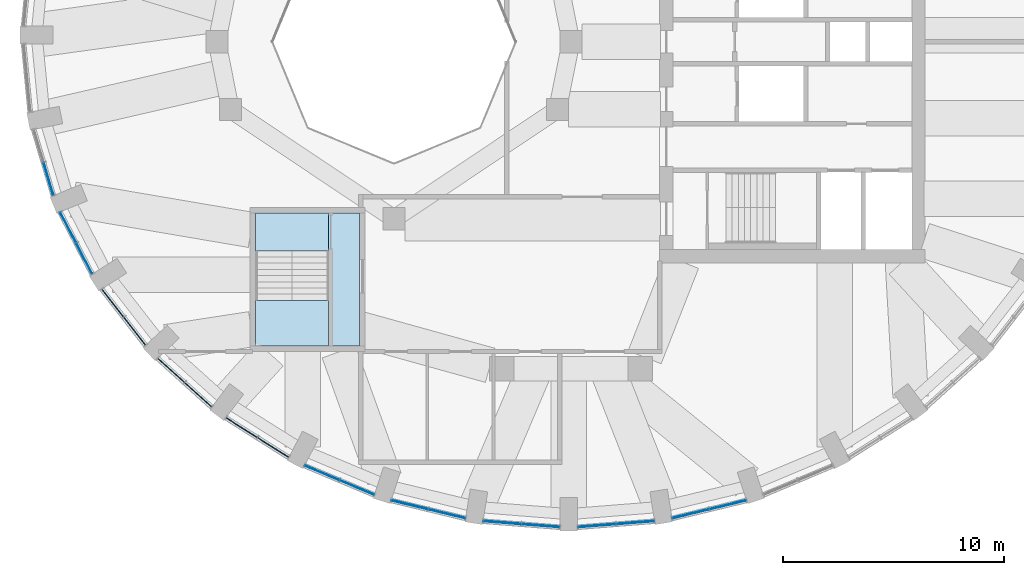
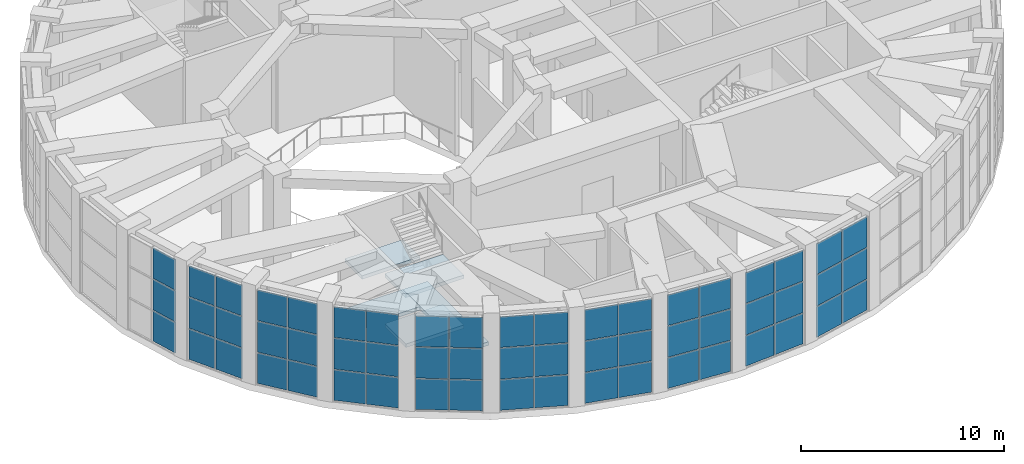
# One storey, part 12 of 20: 57 plates, 5 slabs, 11 elements without a shape of their own.
"""IFC4 building model written with IfcOpenShell, lengths in metres."""

from ifc_helpers import new_model, si_unit, direction, frame, origin, origin_2d, place, context, subcontext, project, spatial, polyline, rectangle, outline, extrude, material, layer, layer_set, type_object, element, aggregate, save


model = new_model("IFC4")

# Units and contexts
model_context = context("Model", 3, precision=1e-05, world=origin(), true_north=direction((0.0, 1.0)))
body_context = subcontext(model_context, "Body", "Model", "MODEL_VIEW")
ifc_project = project(units=[si_unit("LENGTHUNIT", "METRE"), si_unit("AREAUNIT", "SQUARE_METRE"), si_unit("VOLUMEUNIT", "CUBIC_METRE"), si_unit("PLANEANGLEUNIT", "RADIAN"), si_unit("MASSUNIT", "GRAM", prefix="KILO")], contexts=[model_context])

# Site, building, storey
site_placement = place(None, origin())
site = spatial("IfcSite", under=ifc_project, at=site_placement, CompositionType="ELEMENT")
building_placement = place(site_placement, origin())
building = spatial("IfcBuilding", under=site, at=building_placement, Name="Taillehof Tower", CompositionType="ELEMENT")
storey_placement = place(building_placement, frame((0.0, 0.0, 269.199951171875)))
storey = spatial("IfcBuildingStorey", under=building, at=storey_placement, Name="L76", CompositionType="ELEMENT", Elevation=269.199951171875)

# Curtain wall, plates
ifc_material_1 = material(Name="Aluminium curtain wall with Clear toughened laminated glass", Category="aluminium")
curtain_wall_type = type_object("IfcCurtainWallType", Name="Observation deck curtain wall", PredefinedType="USERDEFINED", material=ifc_material_1)
curtain_wall_1_placement = place(storey_placement, origin())
curtain_wall_1 = element("IfcCurtainWall", 1, at=curtain_wall_1_placement, inside=storey, type_object=curtain_wall_type, Name="Observation deck L76 bay 20", ObjectType="WINDOW WALL", PredefinedType="USERDEFINED")
ifc_material_2 = material(Name="Clear toughened laminated glass", Category="glass")
ifc_layer_1 = layer(ifc_material_2, 0.0400390625)
ifc_layer_set_1 = layer_set([ifc_layer_1], Name="Observation deck glass panel 40")
plate_type = type_object("IfcPlateType", Name="Observation deck glass panel 40", PredefinedType="CURTAIN_PANEL", material=ifc_layer_set_1)
plate_1_placement = place(storey_placement, frame((-23.611083984375, -6.2041015625, 0.0400390625), z_axis=(0.0, 0.0, 1.0), x_axis=(0.285235558707, -0.958457446134, 0.0)))
plate_1 = element("IfcPlate", 2, at=plate_1_placement, type_object=plate_type, Name="CT6E20 panel 2.1", PredefinedType="CURTAIN_PANEL", context=body_context, shape_type="SweptSolid", body=[
    extrude(rectangle(XDim=1.5185546875, YDim=0.0400390625, at=origin_2d()), origin(), (0.0, 0.0, 1.0), 1.840087890625),
])
plate_2_placement = place(storey_placement, frame((-23.611083984375, -6.2041015625, 1.919921875), z_axis=(0.0, 0.0, 1.0), x_axis=(0.285235558707, -0.958457446134, 0.0)))
plate_2 = element("IfcPlate", 3, at=plate_2_placement, type_object=plate_type, Name="CT6E20 panel 2.2", PredefinedType="CURTAIN_PANEL", context=body_context, shape_type="SweptSolid", body=[
    extrude(rectangle(XDim=1.5185546875, YDim=0.0400390625, at=origin_2d()), origin(), (0.0, 0.0, 1.0), 1.860107421875),
])
plate_3_placement = place(storey_placement, frame((-23.611083984375, -6.2041015625, 3.81982421875), z_axis=(0.0, 0.0, 1.0), x_axis=(0.285235558707, -0.958457446134, 0.0)))
plate_3 = element("IfcPlate", 4, at=plate_3_placement, type_object=plate_type, Name="CT6E20 panel 2.3", PredefinedType="CURTAIN_PANEL", context=body_context, shape_type="SweptSolid", body=[
    extrude(rectangle(XDim=1.5185546875, YDim=0.0400390625, at=origin_2d()), origin(), (0.0, 0.0, 1.0), 1.840087890625),
])
aggregate(curtain_wall_1, [plate_1, plate_2, plate_3])

curtain_wall_2_placement = place(storey_placement, origin())
curtain_wall_2 = element("IfcCurtainWall", 5, at=curtain_wall_2_placement, inside=storey, type_object=curtain_wall_type, Name="Observation deck L76 bay 21", ObjectType="WINDOW WALL", PredefinedType="USERDEFINED")
plate_4_placement = place(storey_placement, frame((-22.7255859375, -8.395263671875, 0.0400390625), z_axis=(0.0, 0.0, 1.0), x_axis=(0.459891218474, -0.887975262702, 0.0)))
plate_4 = element("IfcPlate", 6, at=plate_4_placement, type_object=plate_type, Name="CT6E21 panel 1.1", PredefinedType="CURTAIN_PANEL", context=body_context, shape_type="SweptSolid", body=[
    extrude(rectangle(XDim=1.541748046875, YDim=0.0400390625, at=origin_2d()), origin(), (0.0, 0.0, 1.0), 1.840087890625),
])
plate_5_placement = place(storey_placement, frame((-22.7255859375, -8.395263671875, 1.919921875), z_axis=(0.0, 0.0, 1.0), x_axis=(0.459891218474, -0.887975262702, 0.0)))
plate_5 = element("IfcPlate", 7, at=plate_5_placement, type_object=plate_type, Name="CT6E21 panel 1.2", PredefinedType="CURTAIN_PANEL", context=body_context, shape_type="SweptSolid", body=[
    extrude(rectangle(XDim=1.541748046875, YDim=0.0400390625, at=origin_2d()), origin(), (0.0, 0.0, 1.0), 1.860107421875),
])
plate_6_placement = place(storey_placement, frame((-22.7255859375, -8.395263671875, 3.81982421875), z_axis=(0.0, 0.0, 1.0), x_axis=(0.459891218474, -0.887975262702, 0.0)))
plate_6 = element("IfcPlate", 8, at=plate_6_placement, type_object=plate_type, Name="CT6E21 panel 1.3", PredefinedType="CURTAIN_PANEL", context=body_context, shape_type="SweptSolid", body=[
    extrude(rectangle(XDim=1.541748046875, YDim=0.0400390625, at=origin_2d()), origin(), (0.0, 0.0, 1.0), 1.840087890625),
])
plate_7_placement = place(storey_placement, frame((-21.998291015625, -9.7998046875, 0.0400390625), z_axis=(0.0, 0.0, 1.0), x_axis=(0.459891218474, -0.887975262702, 0.0)))
plate_7 = element("IfcPlate", 9, at=plate_7_placement, type_object=plate_type, Name="CT6E21 panel 2.1", PredefinedType="CURTAIN_PANEL", context=body_context, shape_type="SweptSolid", body=[
    extrude(rectangle(XDim=1.541748046875, YDim=0.0400390625, at=origin_2d()), origin(), (0.0, 0.0, 1.0), 1.840087890625),
])
plate_8_placement = place(storey_placement, frame((-21.998291015625, -9.7998046875, 1.919921875), z_axis=(0.0, 0.0, 1.0), x_axis=(0.459891218474, -0.887975262702, 0.0)))
plate_8 = element("IfcPlate", 10, at=plate_8_placement, type_object=plate_type, Name="CT6E21 panel 2.2", PredefinedType="CURTAIN_PANEL", context=body_context, shape_type="SweptSolid", body=[
    extrude(rectangle(XDim=1.541748046875, YDim=0.0400390625, at=origin_2d()), origin(), (0.0, 0.0, 1.0), 1.860107421875),
])
plate_9_placement = place(storey_placement, frame((-21.998291015625, -9.7998046875, 3.81982421875), z_axis=(0.0, 0.0, 1.0), x_axis=(0.459891218474, -0.887975262702, 0.0)))
plate_9 = element("IfcPlate", 11, at=plate_9_placement, type_object=plate_type, Name="CT6E21 panel 2.3", PredefinedType="CURTAIN_PANEL", context=body_context, shape_type="SweptSolid", body=[
    extrude(rectangle(XDim=1.541748046875, YDim=0.0400390625, at=origin_2d()), origin(), (0.0, 0.0, 1.0), 1.840087890625),
])
aggregate(curtain_wall_2, [plate_4, plate_5, plate_6, plate_7, plate_8, plate_9])

curtain_wall_3_placement = place(storey_placement, origin())
curtain_wall_3 = element("IfcCurtainWall", 12, at=curtain_wall_3_placement, inside=storey, type_object=curtain_wall_type, Name="Observation deck L76 bay 22", ObjectType="WINDOW WALL", PredefinedType="USERDEFINED")
plate_10_placement = place(storey_placement, frame((-20.708251953125, -11.81201171875, 0.0400390625), z_axis=(0.0, 0.0, 1.0), x_axis=(0.613902818005, -0.789381612432, 0.0)))
plate_10 = element("IfcPlate", 13, at=plate_10_placement, type_object=plate_type, Name="CT6E22 panel 1.1", PredefinedType="CURTAIN_PANEL", context=body_context, shape_type="SweptSolid", body=[
    extrude(rectangle(XDim=1.572265625, YDim=0.0400390625, at=origin_2d()), origin(), (0.0, 0.0, 1.0), 1.840087890625),
])
plate_11_placement = place(storey_placement, frame((-20.708251953125, -11.81201171875, 1.919921875), z_axis=(0.0, 0.0, 1.0), x_axis=(0.613902818005, -0.789381612432, 0.0)))
plate_11 = element("IfcPlate", 14, at=plate_11_placement, type_object=plate_type, Name="CT6E22 panel 1.2", PredefinedType="CURTAIN_PANEL", context=body_context, shape_type="SweptSolid", body=[
    extrude(rectangle(XDim=1.572265625, YDim=0.0400390625, at=origin_2d()), origin(), (0.0, 0.0, 1.0), 1.860107421875),
])
plate_12_placement = place(storey_placement, frame((-20.708251953125, -11.81201171875, 3.81982421875), z_axis=(0.0, 0.0, 1.0), x_axis=(0.613902818005, -0.789381612432, 0.0)))
plate_12 = element("IfcPlate", 15, at=plate_12_placement, type_object=plate_type, Name="CT6E22 panel 1.3", PredefinedType="CURTAIN_PANEL", context=body_context, shape_type="SweptSolid", body=[
    extrude(rectangle(XDim=1.572265625, YDim=0.0400390625, at=origin_2d()), origin(), (0.0, 0.0, 1.0), 1.840087890625),
])
plate_13_placement = place(storey_placement, frame((-19.718505859375, -13.084716796875, 0.0400390625), z_axis=(0.0, 0.0, 1.0), x_axis=(0.613902818005, -0.789381612432, 0.0)))
plate_13 = element("IfcPlate", 16, at=plate_13_placement, type_object=plate_type, Name="CT6E22 panel 2.1", PredefinedType="CURTAIN_PANEL", context=body_context, shape_type="SweptSolid", body=[
    extrude(rectangle(XDim=1.572265625, YDim=0.0400390625, at=origin_2d()), origin(), (0.0, 0.0, 1.0), 1.840087890625),
])
plate_14_placement = place(storey_placement, frame((-19.718505859375, -13.084716796875, 1.919921875), z_axis=(0.0, 0.0, 1.0), x_axis=(0.613902818005, -0.789381612432, 0.0)))
plate_14 = element("IfcPlate", 17, at=plate_14_placement, type_object=plate_type, Name="CT6E22 panel 2.2", PredefinedType="CURTAIN_PANEL", context=body_context, shape_type="SweptSolid", body=[
    extrude(rectangle(XDim=1.572265625, YDim=0.0400390625, at=origin_2d()), origin(), (0.0, 0.0, 1.0), 1.860107421875),
])
plate_15_placement = place(storey_placement, frame((-19.718505859375, -13.084716796875, 3.81982421875), z_axis=(0.0, 0.0, 1.0), x_axis=(0.613902818005, -0.789381612432, 0.0)))
plate_15 = element("IfcPlate", 18, at=plate_15_placement, type_object=plate_type, Name="CT6E22 panel 2.3", PredefinedType="CURTAIN_PANEL", context=body_context, shape_type="SweptSolid", body=[
    extrude(rectangle(XDim=1.572265625, YDim=0.0400390625, at=origin_2d()), origin(), (0.0, 0.0, 1.0), 1.840087890625),
])
aggregate(curtain_wall_3, [plate_10, plate_11, plate_12, plate_13, plate_14, plate_15])

curtain_wall_4_placement = place(storey_placement, origin())
curtain_wall_4 = element("IfcCurtainWall", 19, at=curtain_wall_4_placement, inside=storey, type_object=curtain_wall_type, Name="Observation deck L76 bay 23", ObjectType="WINDOW WALL", PredefinedType="USERDEFINED")
plate_16_placement = place(storey_placement, frame((-18.06689453125, -14.857421875, 0.0400390625), z_axis=(0.0, 0.0, 1.0), x_axis=(0.74316593792, -0.669107157872, 0.0)))
plate_16 = element("IfcPlate", 20, at=plate_16_placement, type_object=plate_type, Name="CT6E23 panel 1.1", PredefinedType="CURTAIN_PANEL", context=body_context, shape_type="SweptSolid", body=[
    extrude(rectangle(XDim=1.6064453125, YDim=0.0400390625, at=origin_2d()), origin(), (0.0, 0.0, 1.0), 1.840087890625),
])
plate_17_placement = place(storey_placement, frame((-18.06689453125, -14.857421875, 1.919921875), z_axis=(0.0, 0.0, 1.0), x_axis=(0.74316593792, -0.669107157872, 0.0)))
plate_17 = element("IfcPlate", 21, at=plate_17_placement, type_object=plate_type, Name="CT6E23 panel 1.2", PredefinedType="CURTAIN_PANEL", context=body_context, shape_type="SweptSolid", body=[
    extrude(rectangle(XDim=1.6064453125, YDim=0.0400390625, at=origin_2d()), origin(), (0.0, 0.0, 1.0), 1.860107421875),
])
plate_18_placement = place(storey_placement, frame((-18.06689453125, -14.857421875, 3.81982421875), z_axis=(0.0, 0.0, 1.0), x_axis=(0.74316593792, -0.669107157872, 0.0)))
plate_18 = element("IfcPlate", 22, at=plate_18_placement, type_object=plate_type, Name="CT6E23 panel 1.3", PredefinedType="CURTAIN_PANEL", context=body_context, shape_type="SweptSolid", body=[
    extrude(rectangle(XDim=1.6064453125, YDim=0.0400390625, at=origin_2d()), origin(), (0.0, 0.0, 1.0), 1.840087890625),
])
plate_19_placement = place(storey_placement, frame((-16.84326171875, -15.959228515625, 0.0400390625), z_axis=(0.0, 0.0, 1.0), x_axis=(0.74316593792, -0.669107157872, 0.0)))
plate_19 = element("IfcPlate", 23, at=plate_19_placement, type_object=plate_type, Name="CT6E23 panel 2.1", PredefinedType="CURTAIN_PANEL", context=body_context, shape_type="SweptSolid", body=[
    extrude(rectangle(XDim=1.6064453125, YDim=0.0400390625, at=origin_2d()), origin(), (0.0, 0.0, 1.0), 1.840087890625),
])
plate_20_placement = place(storey_placement, frame((-16.84326171875, -15.959228515625, 1.919921875), z_axis=(0.0, 0.0, 1.0), x_axis=(0.74316593792, -0.669107157872, 0.0)))
plate_20 = element("IfcPlate", 24, at=plate_20_placement, type_object=plate_type, Name="CT6E23 panel 2.2", PredefinedType="CURTAIN_PANEL", context=body_context, shape_type="SweptSolid", body=[
    extrude(rectangle(XDim=1.6064453125, YDim=0.0400390625, at=origin_2d()), origin(), (0.0, 0.0, 1.0), 1.860107421875),
])
plate_21_placement = place(storey_placement, frame((-16.84326171875, -15.959228515625, 3.81982421875), z_axis=(0.0, 0.0, 1.0), x_axis=(0.74316593792, -0.669107157872, 0.0)))
plate_21 = element("IfcPlate", 25, at=plate_21_placement, type_object=plate_type, Name="CT6E23 panel 2.3", PredefinedType="CURTAIN_PANEL", context=body_context, shape_type="SweptSolid", body=[
    extrude(rectangle(XDim=1.6064453125, YDim=0.0400390625, at=origin_2d()), origin(), (0.0, 0.0, 1.0), 1.840087890625),
])
aggregate(curtain_wall_4, [plate_16, plate_17, plate_18, plate_19, plate_20, plate_21])

curtain_wall_5_placement = place(storey_placement, origin())
curtain_wall_5 = element("IfcCurtainWall", 26, at=curtain_wall_5_placement, inside=storey, type_object=curtain_wall_type, Name="Observation deck L76 bay 24", ObjectType="WINDOW WALL", PredefinedType="USERDEFINED")
plate_22_placement = place(storey_placement, frame((-14.883056640625, -17.440673828125, 0.0400390625), z_axis=(0.0, 0.0, 1.0), x_axis=(0.845929695916, -0.533294430468, 0.0)))
plate_22 = element("IfcPlate", 27, at=plate_22_placement, type_object=plate_type, Name="CT6E24 panel 1.1", PredefinedType="CURTAIN_PANEL", context=body_context, shape_type="SweptSolid", body=[
    extrude(rectangle(XDim=1.64013671875, YDim=0.0400390625, at=origin_2d()), origin(), (0.0, 0.0, 1.0), 1.840087890625),
])
plate_23_placement = place(storey_placement, frame((-14.883056640625, -17.440673828125, 1.919921875), z_axis=(0.0, 0.0, 1.0), x_axis=(0.845929695916, -0.533294430468, 0.0)))
plate_23 = element("IfcPlate", 28, at=plate_23_placement, type_object=plate_type, Name="CT6E24 panel 1.2", PredefinedType="CURTAIN_PANEL", context=body_context, shape_type="SweptSolid", body=[
    extrude(rectangle(XDim=1.64013671875, YDim=0.0400390625, at=origin_2d()), origin(), (0.0, 0.0, 1.0), 1.860107421875),
])
plate_24_placement = place(storey_placement, frame((-14.883056640625, -17.440673828125, 3.81982421875), z_axis=(0.0, 0.0, 1.0), x_axis=(0.845929695916, -0.533294430468, 0.0)))
plate_24 = element("IfcPlate", 29, at=plate_24_placement, type_object=plate_type, Name="CT6E24 panel 1.3", PredefinedType="CURTAIN_PANEL", context=body_context, shape_type="SweptSolid", body=[
    extrude(rectangle(XDim=1.64013671875, YDim=0.0400390625, at=origin_2d()), origin(), (0.0, 0.0, 1.0), 1.840087890625),
])
plate_25_placement = place(storey_placement, frame((-13.461669921875, -18.336669921875, 0.0400390625), z_axis=(0.0, 0.0, 1.0), x_axis=(0.845929695916, -0.533294430468, 0.0)))
plate_25 = element("IfcPlate", 30, at=plate_25_placement, type_object=plate_type, Name="CT6E24 panel 2.1", PredefinedType="CURTAIN_PANEL", context=body_context, shape_type="SweptSolid", body=[
    extrude(rectangle(XDim=1.64013671875, YDim=0.0400390625, at=origin_2d()), origin(), (0.0, 0.0, 1.0), 1.840087890625),
])
plate_26_placement = place(storey_placement, frame((-13.461669921875, -18.336669921875, 1.919921875), z_axis=(0.0, 0.0, 1.0), x_axis=(0.845929695916, -0.533294430468, 0.0)))
plate_26 = element("IfcPlate", 31, at=plate_26_placement, type_object=plate_type, Name="CT6E24 panel 2.2", PredefinedType="CURTAIN_PANEL", context=body_context, shape_type="SweptSolid", body=[
    extrude(rectangle(XDim=1.64013671875, YDim=0.0400390625, at=origin_2d()), origin(), (0.0, 0.0, 1.0), 1.860107421875),
])
plate_27_placement = place(storey_placement, frame((-13.461669921875, -18.336669921875, 3.81982421875), z_axis=(0.0, 0.0, 1.0), x_axis=(0.845929695916, -0.533294430468, 0.0)))
plate_27 = element("IfcPlate", 32, at=plate_27_placement, type_object=plate_type, Name="CT6E24 panel 2.3", PredefinedType="CURTAIN_PANEL", context=body_context, shape_type="SweptSolid", body=[
    extrude(rectangle(XDim=1.64013671875, YDim=0.0400390625, at=origin_2d()), origin(), (0.0, 0.0, 1.0), 1.840087890625),
])
aggregate(curtain_wall_5, [plate_22, plate_23, plate_24, plate_25, plate_26, plate_27])

curtain_wall_6_placement = place(storey_placement, origin())
curtain_wall_6 = element("IfcCurtainWall", 33, at=curtain_wall_6_placement, inside=storey, type_object=curtain_wall_type, Name="Observation deck L76 bay 25", ObjectType="WINDOW WALL", PredefinedType="USERDEFINED")
plate_28_placement = place(storey_placement, frame((-11.25341796875, -19.485107421875, 0.0400390625), z_axis=(0.0, 0.0, 1.0), x_axis=(0.922037438233, -0.387100713636, 0.0)))
plate_28 = element("IfcPlate", 34, at=plate_28_placement, type_object=plate_type, Name="CT6E25 panel 1.1", PredefinedType="CURTAIN_PANEL", context=body_context, shape_type="SweptSolid", body=[
    extrude(rectangle(XDim=1.66943359375, YDim=0.0400390625, at=origin_2d()), origin(), (0.0, 0.0, 1.0), 1.840087890625),
])
plate_29_placement = place(storey_placement, frame((-11.25341796875, -19.485107421875, 1.919921875), z_axis=(0.0, 0.0, 1.0), x_axis=(0.922037438233, -0.387100713636, 0.0)))
plate_29 = element("IfcPlate", 35, at=plate_29_placement, type_object=plate_type, Name="CT6E25 panel 1.2", PredefinedType="CURTAIN_PANEL", context=body_context, shape_type="SweptSolid", body=[
    extrude(rectangle(XDim=1.66943359375, YDim=0.0400390625, at=origin_2d()), origin(), (0.0, 0.0, 1.0), 1.860107421875),
])
plate_30_placement = place(storey_placement, frame((-11.25341796875, -19.485107421875, 3.81982421875), z_axis=(0.0, 0.0, 1.0), x_axis=(0.922037438233, -0.387100713636, 0.0)))
plate_30 = element("IfcPlate", 36, at=plate_30_placement, type_object=plate_type, Name="CT6E25 panel 1.3", PredefinedType="CURTAIN_PANEL", context=body_context, shape_type="SweptSolid", body=[
    extrude(rectangle(XDim=1.66943359375, YDim=0.0400390625, at=origin_2d()), origin(), (0.0, 0.0, 1.0), 1.840087890625),
])
plate_31_placement = place(storey_placement, frame((-9.67724609375, -20.146728515625, 0.0400390625), z_axis=(0.0, 0.0, 1.0), x_axis=(0.922037438233, -0.387100713636, 0.0)))
plate_31 = element("IfcPlate", 37, at=plate_31_placement, type_object=plate_type, Name="CT6E25 panel 2.1", PredefinedType="CURTAIN_PANEL", context=body_context, shape_type="SweptSolid", body=[
    extrude(rectangle(XDim=1.66943359375, YDim=0.0400390625, at=origin_2d()), origin(), (0.0, 0.0, 1.0), 1.840087890625),
])
plate_32_placement = place(storey_placement, frame((-9.67724609375, -20.146728515625, 1.919921875), z_axis=(0.0, 0.0, 1.0), x_axis=(0.922037438233, -0.387100713636, 0.0)))
plate_32 = element("IfcPlate", 38, at=plate_32_placement, type_object=plate_type, Name="CT6E25 panel 2.2", PredefinedType="CURTAIN_PANEL", context=body_context, shape_type="SweptSolid", body=[
    extrude(rectangle(XDim=1.66943359375, YDim=0.0400390625, at=origin_2d()), origin(), (0.0, 0.0, 1.0), 1.860107421875),
])
plate_33_placement = place(storey_placement, frame((-9.67724609375, -20.146728515625, 3.81982421875), z_axis=(0.0, 0.0, 1.0), x_axis=(0.922037438233, -0.387100713636, 0.0)))
plate_33 = element("IfcPlate", 39, at=plate_33_placement, type_object=plate_type, Name="CT6E25 panel 2.3", PredefinedType="CURTAIN_PANEL", context=body_context, shape_type="SweptSolid", body=[
    extrude(rectangle(XDim=1.66943359375, YDim=0.0400390625, at=origin_2d()), origin(), (0.0, 0.0, 1.0), 1.840087890625),
])
aggregate(curtain_wall_6, [plate_28, plate_29, plate_30, plate_31, plate_32, plate_33])

curtain_wall_7_placement = place(storey_placement, origin())
curtain_wall_7 = element("IfcCurtainWall", 40, at=curtain_wall_7_placement, inside=storey, type_object=curtain_wall_type, Name="Observation deck L76 bay 26", ObjectType="WINDOW WALL", PredefinedType="USERDEFINED")
plate_34_placement = place(storey_placement, frame((-7.28759765625, -20.929931640625, 0.0400390625), z_axis=(0.0, 0.0, 1.0), x_axis=(0.972112616855, -0.234514520129, 0.0)))
plate_34 = element("IfcPlate", 41, at=plate_34_placement, type_object=plate_type, Name="CT6E26 panel 1.1", PredefinedType="CURTAIN_PANEL", context=body_context, shape_type="SweptSolid", body=[
    extrude(rectangle(XDim=1.69091796875, YDim=0.0400390625, at=origin_2d()), origin(), (0.0, 0.0, 1.0), 1.840087890625),
])
plate_35_placement = place(storey_placement, frame((-7.28759765625, -20.929931640625, 1.919921875), z_axis=(0.0, 0.0, 1.0), x_axis=(0.972112616855, -0.234514520129, 0.0)))
plate_35 = element("IfcPlate", 42, at=plate_35_placement, type_object=plate_type, Name="CT6E26 panel 1.2", PredefinedType="CURTAIN_PANEL", context=body_context, shape_type="SweptSolid", body=[
    extrude(rectangle(XDim=1.69091796875, YDim=0.0400390625, at=origin_2d()), origin(), (0.0, 0.0, 1.0), 1.860107421875),
])
plate_36_placement = place(storey_placement, frame((-7.28759765625, -20.929931640625, 3.81982421875), z_axis=(0.0, 0.0, 1.0), x_axis=(0.972112616855, -0.234514520129, 0.0)))
plate_36 = element("IfcPlate", 43, at=plate_36_placement, type_object=plate_type, Name="CT6E26 panel 1.3", PredefinedType="CURTAIN_PANEL", context=body_context, shape_type="SweptSolid", body=[
    extrude(rectangle(XDim=1.69091796875, YDim=0.0400390625, at=origin_2d()), origin(), (0.0, 0.0, 1.0), 1.840087890625),
])
plate_37_placement = place(storey_placement, frame((-5.60498046875, -21.3359375, 0.0400390625), z_axis=(0.0, 0.0, 1.0), x_axis=(0.972112616855, -0.234514520129, 0.0)))
plate_37 = element("IfcPlate", 44, at=plate_37_placement, type_object=plate_type, Name="CT6E26 panel 2.1", PredefinedType="CURTAIN_PANEL", context=body_context, shape_type="SweptSolid", body=[
    extrude(rectangle(XDim=1.69091796875, YDim=0.0400390625, at=origin_2d()), origin(), (0.0, 0.0, 1.0), 1.840087890625),
])
plate_38_placement = place(storey_placement, frame((-5.60498046875, -21.3359375, 1.919921875), z_axis=(0.0, 0.0, 1.0), x_axis=(0.972112616855, -0.234514520129, 0.0)))
plate_38 = element("IfcPlate", 45, at=plate_38_placement, type_object=plate_type, Name="CT6E26 panel 2.2", PredefinedType="CURTAIN_PANEL", context=body_context, shape_type="SweptSolid", body=[
    extrude(rectangle(XDim=1.69091796875, YDim=0.0400390625, at=origin_2d()), origin(), (0.0, 0.0, 1.0), 1.860107421875),
])
plate_39_placement = place(storey_placement, frame((-5.60498046875, -21.3359375, 3.81982421875), z_axis=(0.0, 0.0, 1.0), x_axis=(0.972112616855, -0.234514520129, 0.0)))
plate_39 = element("IfcPlate", 46, at=plate_39_placement, type_object=plate_type, Name="CT6E26 panel 2.3", PredefinedType="CURTAIN_PANEL", context=body_context, shape_type="SweptSolid", body=[
    extrude(rectangle(XDim=1.69091796875, YDim=0.0400390625, at=origin_2d()), origin(), (0.0, 0.0, 1.0), 1.840087890625),
])
aggregate(curtain_wall_7, [plate_34, plate_35, plate_36, plate_37, plate_38, plate_39])

curtain_wall_8_placement = place(storey_placement, origin())
curtain_wall_8 = element("IfcCurtainWall", 47, at=curtain_wall_8_placement, inside=storey, type_object=curtain_wall_type, Name="Observation deck L76 bay 27", ObjectType="WINDOW WALL", PredefinedType="USERDEFINED")
plate_40_placement = place(storey_placement, frame((-3.105224609375, -21.73291015625, 0.0400390625), z_axis=(0.0, 0.0, 1.0), x_axis=(0.996912140109, -0.078525059075, 0.0)))
plate_40 = element("IfcPlate", 48, at=plate_40_placement, type_object=plate_type, Name="CT6E27 panel 1.1", PredefinedType="CURTAIN_PANEL", context=body_context, shape_type="SweptSolid", body=[
    extrude(rectangle(XDim=1.7021484375, YDim=0.0400390625, at=origin_2d()), origin(), (0.0, 0.0, 1.0), 1.840087890625),
])
plate_41_placement = place(storey_placement, frame((-3.105224609375, -21.73291015625, 1.919921875), z_axis=(0.0, 0.0, 1.0), x_axis=(0.996912140109, -0.078525059075, 0.0)))
plate_41 = element("IfcPlate", 49, at=plate_41_placement, type_object=plate_type, Name="CT6E27 panel 1.2", PredefinedType="CURTAIN_PANEL", context=body_context, shape_type="SweptSolid", body=[
    extrude(rectangle(XDim=1.7021484375, YDim=0.0400390625, at=origin_2d()), origin(), (0.0, 0.0, 1.0), 1.860107421875),
])
plate_42_placement = place(storey_placement, frame((-3.105224609375, -21.73291015625, 3.81982421875), z_axis=(0.0, 0.0, 1.0), x_axis=(0.996912140109, -0.078525059075, 0.0)))
plate_42 = element("IfcPlate", 50, at=plate_42_placement, type_object=plate_type, Name="CT6E27 panel 1.3", PredefinedType="CURTAIN_PANEL", context=body_context, shape_type="SweptSolid", body=[
    extrude(rectangle(XDim=1.7021484375, YDim=0.0400390625, at=origin_2d()), origin(), (0.0, 0.0, 1.0), 1.840087890625),
])
plate_43_placement = place(storey_placement, frame((-1.368408203125, -21.86962890625, 0.0400390625), z_axis=(0.0, 0.0, 1.0), x_axis=(0.996912140109, -0.078525059075, 0.0)))
plate_43 = element("IfcPlate", 51, at=plate_43_placement, type_object=plate_type, Name="CT6E27 panel 2.1", PredefinedType="CURTAIN_PANEL", context=body_context, shape_type="SweptSolid", body=[
    extrude(rectangle(XDim=1.7021484375, YDim=0.0400390625, at=origin_2d()), origin(), (0.0, 0.0, 1.0), 1.840087890625),
])
plate_44_placement = place(storey_placement, frame((-1.368408203125, -21.86962890625, 1.919921875), z_axis=(0.0, 0.0, 1.0), x_axis=(0.996912140109, -0.078525059075, 0.0)))
plate_44 = element("IfcPlate", 52, at=plate_44_placement, type_object=plate_type, Name="CT6E27 panel 2.2", PredefinedType="CURTAIN_PANEL", context=body_context, shape_type="SweptSolid", body=[
    extrude(rectangle(XDim=1.7021484375, YDim=0.0400390625, at=origin_2d()), origin(), (0.0, 0.0, 1.0), 1.860107421875),
])
plate_45_placement = place(storey_placement, frame((-1.368408203125, -21.86962890625, 3.81982421875), z_axis=(0.0, 0.0, 1.0), x_axis=(0.996912140109, -0.078525059075, 0.0)))
plate_45 = element("IfcPlate", 53, at=plate_45_placement, type_object=plate_type, Name="CT6E27 panel 2.3", PredefinedType="CURTAIN_PANEL", context=body_context, shape_type="SweptSolid", body=[
    extrude(rectangle(XDim=1.7021484375, YDim=0.0400390625, at=origin_2d()), origin(), (0.0, 0.0, 1.0), 1.840087890625),
])
aggregate(curtain_wall_8, [plate_40, plate_41, plate_42, plate_43, plate_44, plate_45])

curtain_wall_9_placement = place(storey_placement, origin())
curtain_wall_9 = element("IfcCurtainWall", 54, at=curtain_wall_9_placement, inside=storey, type_object=curtain_wall_type, Name="Observation deck L76 bay 28", ObjectType="WINDOW WALL", PredefinedType="USERDEFINED")
plate_46_placement = place(storey_placement, frame((1.16845703125, -21.86962890625, 0.0400390625), z_axis=(0.0, 0.0, 1.0), x_axis=(0.996912140109, 0.078525059075, 0.0)))
plate_46 = element("IfcPlate", 55, at=plate_46_placement, type_object=plate_type, Name="CT6E28 panel 1.1", PredefinedType="CURTAIN_PANEL", context=body_context, shape_type="SweptSolid", body=[
    extrude(rectangle(XDim=1.7021484375, YDim=0.0400390625, at=origin_2d()), origin(), (0.0, 0.0, 1.0), 1.840087890625),
])
plate_47_placement = place(storey_placement, frame((1.16845703125, -21.86962890625, 1.919921875), z_axis=(0.0, 0.0, 1.0), x_axis=(0.996912140109, 0.078525059075, 0.0)))
plate_47 = element("IfcPlate", 56, at=plate_47_placement, type_object=plate_type, Name="CT6E28 panel 1.2", PredefinedType="CURTAIN_PANEL", context=body_context, shape_type="SweptSolid", body=[
    extrude(rectangle(XDim=1.7021484375, YDim=0.0400390625, at=origin_2d()), origin(), (0.0, 0.0, 1.0), 1.860107421875),
])
plate_48_placement = place(storey_placement, frame((1.16845703125, -21.86962890625, 3.81982421875), z_axis=(0.0, 0.0, 1.0), x_axis=(0.996912140109, 0.078525059075, 0.0)))
plate_48 = element("IfcPlate", 57, at=plate_48_placement, type_object=plate_type, Name="CT6E28 panel 1.3", PredefinedType="CURTAIN_PANEL", context=body_context, shape_type="SweptSolid", body=[
    extrude(rectangle(XDim=1.7021484375, YDim=0.0400390625, at=origin_2d()), origin(), (0.0, 0.0, 1.0), 1.840087890625),
])
plate_49_placement = place(storey_placement, frame((2.9052734375, -21.73291015625, 0.0400390625), z_axis=(0.0, 0.0, 1.0), x_axis=(0.996912140109, 0.078525059075, 0.0)))
plate_49 = element("IfcPlate", 58, at=plate_49_placement, type_object=plate_type, Name="CT6E28 panel 2.1", PredefinedType="CURTAIN_PANEL", context=body_context, shape_type="SweptSolid", body=[
    extrude(rectangle(XDim=1.7021484375, YDim=0.0400390625, at=origin_2d()), origin(), (0.0, 0.0, 1.0), 1.840087890625),
])
plate_50_placement = place(storey_placement, frame((2.9052734375, -21.73291015625, 1.919921875), z_axis=(0.0, 0.0, 1.0), x_axis=(0.996912140109, 0.078525059075, 0.0)))
plate_50 = element("IfcPlate", 59, at=plate_50_placement, type_object=plate_type, Name="CT6E28 panel 2.2", PredefinedType="CURTAIN_PANEL", context=body_context, shape_type="SweptSolid", body=[
    extrude(rectangle(XDim=1.7021484375, YDim=0.0400390625, at=origin_2d()), origin(), (0.0, 0.0, 1.0), 1.860107421875),
])
plate_51_placement = place(storey_placement, frame((2.9052734375, -21.73291015625, 3.81982421875), z_axis=(0.0, 0.0, 1.0), x_axis=(0.996912140109, 0.078525059075, 0.0)))
plate_51 = element("IfcPlate", 60, at=plate_51_placement, type_object=plate_type, Name="CT6E28 panel 2.3", PredefinedType="CURTAIN_PANEL", context=body_context, shape_type="SweptSolid", body=[
    extrude(rectangle(XDim=1.7021484375, YDim=0.0400390625, at=origin_2d()), origin(), (0.0, 0.0, 1.0), 1.840087890625),
])
aggregate(curtain_wall_9, [plate_46, plate_47, plate_48, plate_49, plate_50, plate_51])

curtain_wall_10_placement = place(storey_placement, origin())
curtain_wall_10 = element("IfcCurtainWall", 61, at=curtain_wall_10_placement, inside=storey, type_object=curtain_wall_type, Name="Observation deck L76 bay 29", ObjectType="WINDOW WALL", PredefinedType="USERDEFINED")
plate_52_placement = place(storey_placement, frame((5.405029296875, -21.3359375, 0.0400390625), z_axis=(0.0, 0.0, 1.0), x_axis=(0.972112616855, 0.234514520129, 0.0)))
plate_52 = element("IfcPlate", 62, at=plate_52_placement, type_object=plate_type, Name="CT6E29 panel 1.1", PredefinedType="CURTAIN_PANEL", context=body_context, shape_type="SweptSolid", body=[
    extrude(rectangle(XDim=1.69091796875, YDim=0.0400390625, at=origin_2d()), origin(), (0.0, 0.0, 1.0), 1.840087890625),
])
plate_53_placement = place(storey_placement, frame((5.405029296875, -21.3359375, 1.919921875), z_axis=(0.0, 0.0, 1.0), x_axis=(0.972112616855, 0.234514520129, 0.0)))
plate_53 = element("IfcPlate", 63, at=plate_53_placement, type_object=plate_type, Name="CT6E29 panel 1.2", PredefinedType="CURTAIN_PANEL", context=body_context, shape_type="SweptSolid", body=[
    extrude(rectangle(XDim=1.69091796875, YDim=0.0400390625, at=origin_2d()), origin(), (0.0, 0.0, 1.0), 1.860107421875),
])
plate_54_placement = place(storey_placement, frame((5.405029296875, -21.3359375, 3.81982421875), z_axis=(0.0, 0.0, 1.0), x_axis=(0.972112616855, 0.234514520129, 0.0)))
plate_54 = element("IfcPlate", 64, at=plate_54_placement, type_object=plate_type, Name="CT6E29 panel 1.3", PredefinedType="CURTAIN_PANEL", context=body_context, shape_type="SweptSolid", body=[
    extrude(rectangle(XDim=1.69091796875, YDim=0.0400390625, at=origin_2d()), origin(), (0.0, 0.0, 1.0), 1.840087890625),
])
plate_55_placement = place(storey_placement, frame((7.087646484375, -20.929931640625, 0.0400390625), z_axis=(0.0, 0.0, 1.0), x_axis=(0.972112616855, 0.234514520129, 0.0)))
plate_55 = element("IfcPlate", 65, at=plate_55_placement, type_object=plate_type, Name="CT6E29 panel 2.1", PredefinedType="CURTAIN_PANEL", context=body_context, shape_type="SweptSolid", body=[
    extrude(rectangle(XDim=1.69091796875, YDim=0.0400390625, at=origin_2d()), origin(), (0.0, 0.0, 1.0), 1.840087890625),
])
plate_56_placement = place(storey_placement, frame((7.087646484375, -20.929931640625, 1.919921875), z_axis=(0.0, 0.0, 1.0), x_axis=(0.972112616855, 0.234514520129, 0.0)))
plate_56 = element("IfcPlate", 66, at=plate_56_placement, type_object=plate_type, Name="CT6E29 panel 2.2", PredefinedType="CURTAIN_PANEL", context=body_context, shape_type="SweptSolid", body=[
    extrude(rectangle(XDim=1.69091796875, YDim=0.0400390625, at=origin_2d()), origin(), (0.0, 0.0, 1.0), 1.860107421875),
])
plate_57_placement = place(storey_placement, frame((7.087646484375, -20.929931640625, 3.81982421875), z_axis=(0.0, 0.0, 1.0), x_axis=(0.972112616855, 0.234514520129, 0.0)))
plate_57 = element("IfcPlate", 67, at=plate_57_placement, type_object=plate_type, Name="CT6E29 panel 2.3", PredefinedType="CURTAIN_PANEL", context=body_context, shape_type="SweptSolid", body=[
    extrude(rectangle(XDim=1.69091796875, YDim=0.0400390625, at=origin_2d()), origin(), (0.0, 0.0, 1.0), 1.840087890625),
])
aggregate(curtain_wall_10, [plate_52, plate_53, plate_54, plate_55, plate_56, plate_57])

# Stair, slabs
ifc_material_3 = material(Name="Concrete C40/50", Category="concrete")
stair_type = type_object("IfcStairType", Name="Exit stair half-turn", PredefinedType="HALF_TURN_STAIR", material=ifc_material_3)
stair_placement = place(storey_placement, origin())
stair = element("IfcStair", 68, at=stair_placement, inside=storey, type_object=stair_type, Name="Exit stair S4", PredefinedType="HALF_TURN_STAIR")
ifc_material_4 = material(Name="Concrete C40/50", Category="concrete")
ifc_layer_2 = layer(ifc_material_4, 0.2099609375)
ifc_layer_set_2 = layer_set([ifc_layer_2], Name="Stair landing C40/50 210")
slab_type = type_object("IfcSlabType", Name="Stair landing C40/50 210", PredefinedType="LANDING", material=ifc_layer_set_2)
slab_1_placement = place(storey_placement, frame((0.0, 0.0, 1.2900390625)))
slab_1 = element("IfcSlab", 69, at=slab_1_placement, type_object=slab_type, Name="S4 landing 1", PredefinedType="LANDING", context=body_context, shape_type="SweptSolid", body=[
    extrude(outline(polyline([(-14.25, -11.68994140625), (-14.25, -13.75), (-10.949951171875, -13.75), (-10.949951171875, -11.68994140625), (-14.25, -11.68994140625)])), origin(), (0.0, 0.0, 1.0), 0.2099609375),
])
slab_2_placement = place(storey_placement, frame((0.0, 0.0, 2.7900390625)))
slab_2 = element("IfcSlab", 70, at=slab_2_placement, type_object=slab_type, Name="S4 landing 2", PredefinedType="LANDING", context=body_context, shape_type="SweptSolid", body=[
    extrude(outline(polyline([(-14.25, -7.75), (-14.25, -9.449951171875), (-10.949951171875, -9.449951171875), (-10.949951171875, -7.75), (-14.25, -7.75)])), origin(), (0.0, 0.0, 1.0), 0.2099609375),
])
slab_3_placement = place(storey_placement, frame((0.0, 0.0, 4.2900390625)))
slab_3 = element("IfcSlab", 71, at=slab_3_placement, type_object=slab_type, Name="S4 landing 3", PredefinedType="LANDING", context=body_context, shape_type="SweptSolid", body=[
    extrude(outline(polyline([(-14.25, -11.68994140625), (-14.25, -13.75), (-10.949951171875, -13.75), (-10.949951171875, -11.68994140625), (-14.25, -11.68994140625)])), origin(), (0.0, 0.0, 1.0), 0.2099609375),
])
aggregate(stair, [slab_1, slab_2, slab_3])

# Slabs
slab_4_placement = place(storey_placement, frame((0.0, 0.0, -0.2099609375)))
element("IfcSlab", 72, at=slab_4_placement, inside=storey, type_object=slab_type, Name="Stair S4 floor landing", PredefinedType="LANDING", context=body_context, shape_type="SweptSolid", body=[
    extrude(outline(polyline([(-14.25, -7.75), (-14.25, -9.449951171875), (-10.949951171875, -9.449951171875), (-10.949951171875, -7.75), (-14.25, -7.75)])), origin(), (0.0, 0.0, 1.0), 0.2099609375),
])
slab_5_placement = place(storey_placement, frame((0.0, 0.0, -0.2099609375)))
element("IfcSlab", 73, at=slab_5_placement, inside=storey, type_object=slab_type, Name="Stair lobby S4 floor", PredefinedType="LANDING", context=body_context, shape_type="SweptSolid", body=[
    extrude(outline(polyline([(-10.949951171875, -13.75), (-9.550048828125, -13.75), (-9.550048828125, -7.75), (-10.949951171875, -7.75), (-10.949951171875, -13.75)])), origin(), (0.0, 0.0, 1.0), 0.2099609375),
])

save(model, "model.ifc")
